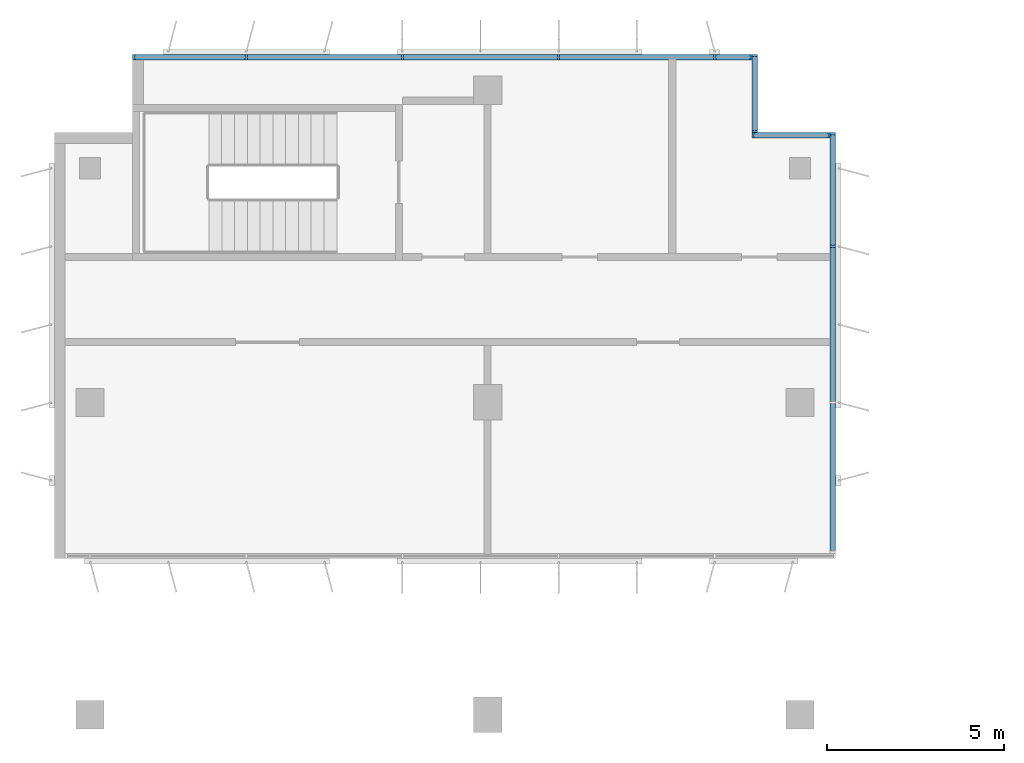
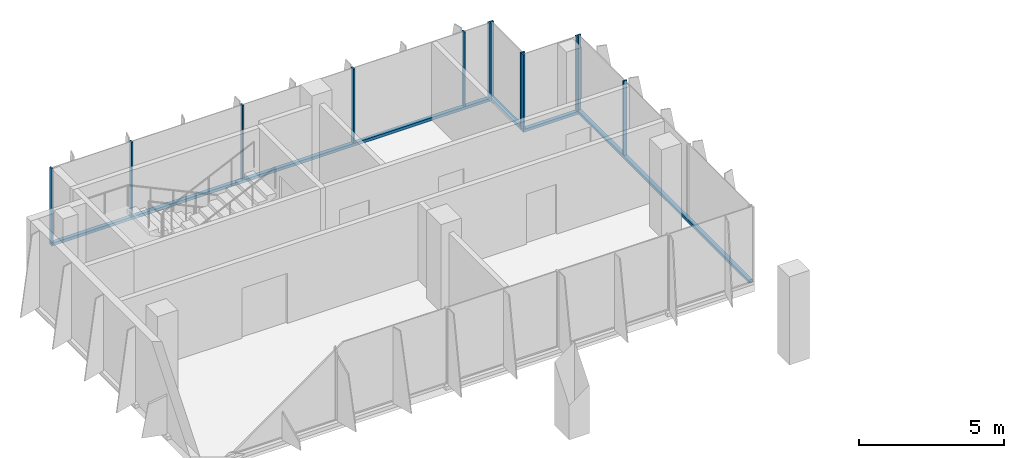
# One storey, part 5 of 13: 16 members, 4 elements without a shape of their own.
"""IFC4 building model written with IfcOpenShell, lengths in metres."""

from ifc_helpers import new_model, si_unit, direction, frame, origin, origin_2d, place, context, subcontext, project, spatial, rectangle, extrude, source, transform, mapped, material, material_profile, profile_set, type_object, element, aggregate, save


model = new_model("IFC4")

# Units and contexts
model_context = context("Model", 3, precision=1e-05, world=origin(), true_north=direction((0.0, 1.0)))
body_context = subcontext(model_context, "Body", "Model", "MODEL_VIEW")
ifc_project = project(units=[si_unit("LENGTHUNIT", "METRE"), si_unit("AREAUNIT", "SQUARE_METRE"), si_unit("VOLUMEUNIT", "CUBIC_METRE"), si_unit("PLANEANGLEUNIT", "RADIAN"), si_unit("MASSUNIT", "GRAM", prefix="KILO")], contexts=[model_context])

# Site, building, storey
site_placement = place(None, origin())
site = spatial("IfcSite", under=ifc_project, at=site_placement, CompositionType="ELEMENT")
building_placement = place(site_placement, origin())
building = spatial("IfcBuilding", under=site, at=building_placement, Name="Kemantara Hotel Tower", CompositionType="ELEMENT")
storey_placement = place(building_placement, frame((0.0, 0.0, 252.39990234375)))
storey = spatial("IfcBuildingStorey", under=building, at=storey_placement, Name="L63", CompositionType="ELEMENT", Elevation=252.39990234375)

# Curtain wall, member
ifc_material_1 = material(Name="Low-E tinted double insulated glass 36 mm", Category="glass")
curtain_wall_type = type_object("IfcCurtainWallType", Name="TOWER CURTAIN WALL, FRONT FACES", PredefinedType="USERDEFINED", material=ifc_material_1)
curtain_wall_1_placement = place(storey_placement, origin())
curtain_wall_1 = element("IfcCurtainWall", 1, at=curtain_wall_1_placement, inside=storey, type_object=curtain_wall_type, Name="CW4 L63 T4P-R13-1", ObjectType="TOWER CURTAIN WALL, FRONT FACES", PredefinedType="USERDEFINED")
ifc_material_2 = material(Name="Aluminium 6063-T6 bronze anodised", Category="aluminium")
ifc_material_profile_1 = material_profile(ifc_material_2, rectangle(XDim=0.14990234375, YDim=0.1201171875, at=origin_2d()), Name="TOWER CURTAIN WALL, FRONT FACES TRANSOM")
ifc_profile_set_1 = profile_set([ifc_material_profile_1], Name="Aluminium 6063-T6 bronze anodised")
member_type_1 = type_object("IfcMemberType", Name="TOWER CURTAIN WALL, FRONT FACES TRANSOM", PredefinedType="USERDEFINED", material=ifc_profile_set_1)
member_1_placement = place(storey_placement, frame((21.925048828125, 49.550048828125, 0.06005859375), z_axis=(0.0, 1.0, 0.0), x_axis=(-1.0, 0.0, 0.0)))
member_1 = element("IfcMember", 2, at=member_1_placement, type_object=member_type_1, Name="CW4 sill transom T4P-R13-1", ObjectType="TRANSOM", PredefinedType="USERDEFINED", context=body_context, shape_type="SweptSolid", body=[
    extrude(rectangle(XDim=0.14990234375, YDim=0.1201171875, at=origin_2d()), origin(), (0.0, 0.0, 1.0), 11.849853515625),
])

curtain_wall_2_placement = place(storey_placement, origin())
curtain_wall_2 = element("IfcCurtainWall", 3, at=curtain_wall_2_placement, inside=storey, type_object=curtain_wall_type, Name="CW4 L63 T4P-R16-1", ObjectType="TOWER CURTAIN WALL, FRONT FACES", PredefinedType="USERDEFINED")
member_2_placement = place(storey_placement, frame((19.64990234375, 63.52490234375, 0.06005859375), z_axis=(-1.0, 0.0, 0.0), x_axis=(0.0, -1.0, 0.0)))
member_2 = element("IfcMember", 4, at=member_2_placement, type_object=member_type_1, Name="CW4 sill transom T4P-R16-1", ObjectType="TRANSOM", PredefinedType="USERDEFINED", context=body_context, shape_type="SweptSolid", body=[
    extrude(rectangle(XDim=0.14990234375, YDim=0.1201171875, at=origin_2d()), origin(), (0.0, 0.0, 1.0), 17.449951171875),
])

curtain_wall_3_placement = place(storey_placement, origin())
curtain_wall_3 = element("IfcCurtainWall", 5, at=curtain_wall_3_placement, inside=storey, type_object=curtain_wall_type, Name="CW4 L63 T4P-R14-1", ObjectType="TOWER CURTAIN WALL, FRONT FACES", PredefinedType="USERDEFINED")
member_3_placement = place(storey_placement, frame((21.85009765625, 61.324951171875, 0.06005859375), z_axis=(-1.0, 0.0, 0.0), x_axis=(0.0, -1.0, 0.0)))
member_3 = element("IfcMember", 6, at=member_3_placement, type_object=member_type_1, Name="CW4 sill transom T4P-R14-1", ObjectType="TRANSOM", PredefinedType="USERDEFINED", context=body_context, shape_type="SweptSolid", body=[
    extrude(rectangle(XDim=0.14990234375, YDim=0.1201171875, at=origin_2d()), origin(), (0.0, 0.0, 1.0), 2.2001953125),
])

curtain_wall_4_placement = place(storey_placement, origin())
curtain_wall_4 = element("IfcCurtainWall", 7, at=curtain_wall_4_placement, inside=storey, type_object=curtain_wall_type, Name="CW4 L63 T4P-R15-1", ObjectType="TOWER CURTAIN WALL, FRONT FACES", PredefinedType="USERDEFINED")
member_4_placement = place(storey_placement, frame((19.72509765625, 61.39990234375, 0.06005859375), z_axis=(0.0, 1.0, 0.0), x_axis=(-1.0, 0.0, 0.0)))
member_4 = element("IfcMember", 8, at=member_4_placement, type_object=member_type_1, Name="CW4 sill transom T4P-R15-1", ObjectType="TRANSOM", PredefinedType="USERDEFINED", context=body_context, shape_type="SweptSolid", body=[
    extrude(rectangle(XDim=0.14990234375, YDim=0.1201171875, at=origin_2d()), origin(), (0.0, 0.0, 1.0), 2.2001953125),
])

# Member
ifc_material_profile_2 = material_profile(ifc_material_2, rectangle(XDim=0.14990234375, YDim=0.06005859375, at=origin_2d()), Name="TOWER CURTAIN WALL, FRONT FACES MULLION")
ifc_profile_set_2 = profile_set([ifc_material_profile_2], Name="Aluminium 6063-T6 bronze anodised")
member_type_2 = type_object("IfcMemberType", Name="TOWER CURTAIN WALL, FRONT FACES MULLION", PredefinedType="MULLION", material=ifc_profile_set_2)
shared_shape = source(origin(), body_context, "Body", "SweptSolid", [
    extrude(rectangle(XDim=0.14990234375, YDim=0.06005859375, at=origin_2d()), origin(), (0.0, 0.0, 1.0), 3.1298828125),
])
member_5_placement = place(storey_placement, frame((21.925048828125, 58.199951171875, 0.1201171875), z_axis=(0.0, 0.0, 1.0), x_axis=(-1.0, 0.0, 0.0)))
member_5 = element("IfcMember", 9, at=member_5_placement, type_object=member_type_2, Name="CW4 mullion T4P-R13-1.3", PredefinedType="MULLION", context=body_context, shape_type="MappedRepresentation", body=[
    mapped(shared_shape, transform((0.0, 0.0, 0.0))),
])

member_6_placement = place(storey_placement, frame((21.925048828125, 61.3701171875, 0.1201171875), z_axis=(0.0, 0.0, 1.0), x_axis=(-1.0, 0.0, 0.0)))
member_6 = element("IfcMember", 10, at=member_6_placement, type_object=member_type_2, Name="CW4 mullion T4P-R13-1.4", PredefinedType="MULLION", context=body_context, shape_type="MappedRepresentation", body=[
    mapped(shared_shape, transform((0.0, 0.0, 0.0))),
])

aggregate(curtain_wall_1, [member_1, member_5, member_6])

member_7_placement = place(storey_placement, frame((19.6201171875, 63.52490234375, 0.1201171875), z_axis=(0.0, 0.0, 1.0), x_axis=(0.0, -1.0, 0.0)))
member_7 = element("IfcMember", 11, at=member_7_placement, type_object=member_type_2, Name="CW4 mullion T4P-R16-1.1", PredefinedType="MULLION", context=body_context, shape_type="MappedRepresentation", body=[
    mapped(shared_shape, transform((0.0, 0.0, 0.0))),
])

member_8_placement = place(storey_placement, frame((18.60009765625, 63.52490234375, 0.1201171875), z_axis=(0.0, 0.0, 1.0), x_axis=(0.0, -1.0, 0.0)))
member_8 = element("IfcMember", 12, at=member_8_placement, type_object=member_type_2, Name="CW4 mullion T4P-R16-1.2", PredefinedType="MULLION", context=body_context, shape_type="MappedRepresentation", body=[
    mapped(shared_shape, transform((0.0, 0.0, 0.0))),
])

member_9_placement = place(storey_placement, frame((14.199951171875, 63.52490234375, 0.1201171875), z_axis=(0.0, 0.0, 1.0), x_axis=(0.0, -1.0, 0.0)))
member_9 = element("IfcMember", 13, at=member_9_placement, type_object=member_type_2, Name="CW4 mullion T4P-R16-1.3", PredefinedType="MULLION", context=body_context, shape_type="MappedRepresentation", body=[
    mapped(shared_shape, transform((0.0, 0.0, 0.0))),
])

member_10_placement = place(storey_placement, frame((9.800048828125, 63.52490234375, 0.1201171875), z_axis=(0.0, 0.0, 1.0), x_axis=(0.0, -1.0, 0.0)))
member_10 = element("IfcMember", 14, at=member_10_placement, type_object=member_type_2, Name="CW4 mullion T4P-R16-1.4", PredefinedType="MULLION", context=body_context, shape_type="MappedRepresentation", body=[
    mapped(shared_shape, transform((0.0, 0.0, 0.0))),
])

member_11_placement = place(storey_placement, frame((5.39990234375, 63.52490234375, 0.1201171875), z_axis=(0.0, 0.0, 1.0), x_axis=(0.0, -1.0, 0.0)))
member_11 = element("IfcMember", 15, at=member_11_placement, type_object=member_type_2, Name="CW4 mullion T4P-R16-1.5", PredefinedType="MULLION", context=body_context, shape_type="MappedRepresentation", body=[
    mapped(shared_shape, transform((0.0, 0.0, 0.0))),
])

member_12_placement = place(storey_placement, frame((2.22998046875, 63.52490234375, 0.1201171875), z_axis=(0.0, 0.0, 1.0), x_axis=(0.0, -1.0, 0.0)))
member_12 = element("IfcMember", 16, at=member_12_placement, type_object=member_type_2, Name="CW4 mullion T4P-R16-1.6", PredefinedType="MULLION", context=body_context, shape_type="MappedRepresentation", body=[
    mapped(shared_shape, transform((0.0, 0.0, 0.0))),
])

aggregate(curtain_wall_2, [member_2, member_7, member_8, member_9, member_10, member_11, member_12])

member_13_placement = place(storey_placement, frame((21.820068359375, 61.324951171875, 0.1201171875), z_axis=(0.0, 0.0, 1.0), x_axis=(0.0, -1.0, 0.0)))
member_13 = element("IfcMember", 17, at=member_13_placement, type_object=member_type_2, Name="CW4 mullion T4P-R14-1.1", PredefinedType="MULLION", context=body_context, shape_type="MappedRepresentation", body=[
    mapped(shared_shape, transform((0.0, 0.0, 0.0))),
])

member_14_placement = place(storey_placement, frame((19.679931640625, 61.324951171875, 0.1201171875), z_axis=(0.0, 0.0, 1.0), x_axis=(0.0, -1.0, 0.0)))
member_14 = element("IfcMember", 18, at=member_14_placement, type_object=member_type_2, Name="CW4 mullion T4P-R14-1.2", PredefinedType="MULLION", context=body_context, shape_type="MappedRepresentation", body=[
    mapped(shared_shape, transform((0.0, 0.0, 0.0))),
])

aggregate(curtain_wall_3, [member_3, member_13, member_14])

member_15_placement = place(storey_placement, frame((19.72509765625, 61.429931640625, 0.1201171875), z_axis=(0.0, 0.0, 1.0), x_axis=(-1.0, 0.0, 0.0)))
member_15 = element("IfcMember", 19, at=member_15_placement, type_object=member_type_2, Name="CW4 mullion T4P-R15-1.1", PredefinedType="MULLION", context=body_context, shape_type="MappedRepresentation", body=[
    mapped(shared_shape, transform((0.0, 0.0, 0.0))),
])

member_16_placement = place(storey_placement, frame((19.72509765625, 63.570068359375, 0.1201171875), z_axis=(0.0, 0.0, 1.0), x_axis=(-1.0, 0.0, 0.0)))
member_16 = element("IfcMember", 20, at=member_16_placement, type_object=member_type_2, Name="CW4 mullion T4P-R15-1.2", PredefinedType="MULLION", context=body_context, shape_type="MappedRepresentation", body=[
    mapped(shared_shape, transform((0.0, 0.0, 0.0))),
])

aggregate(curtain_wall_4, [member_4, member_15, member_16])

save(model, "model.ifc")
